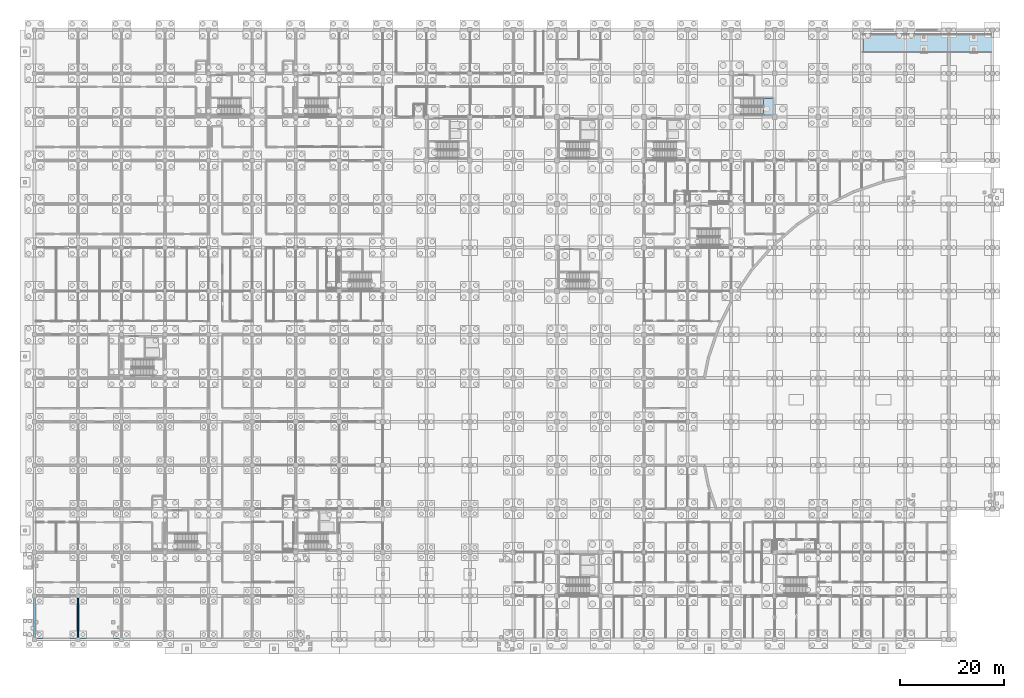
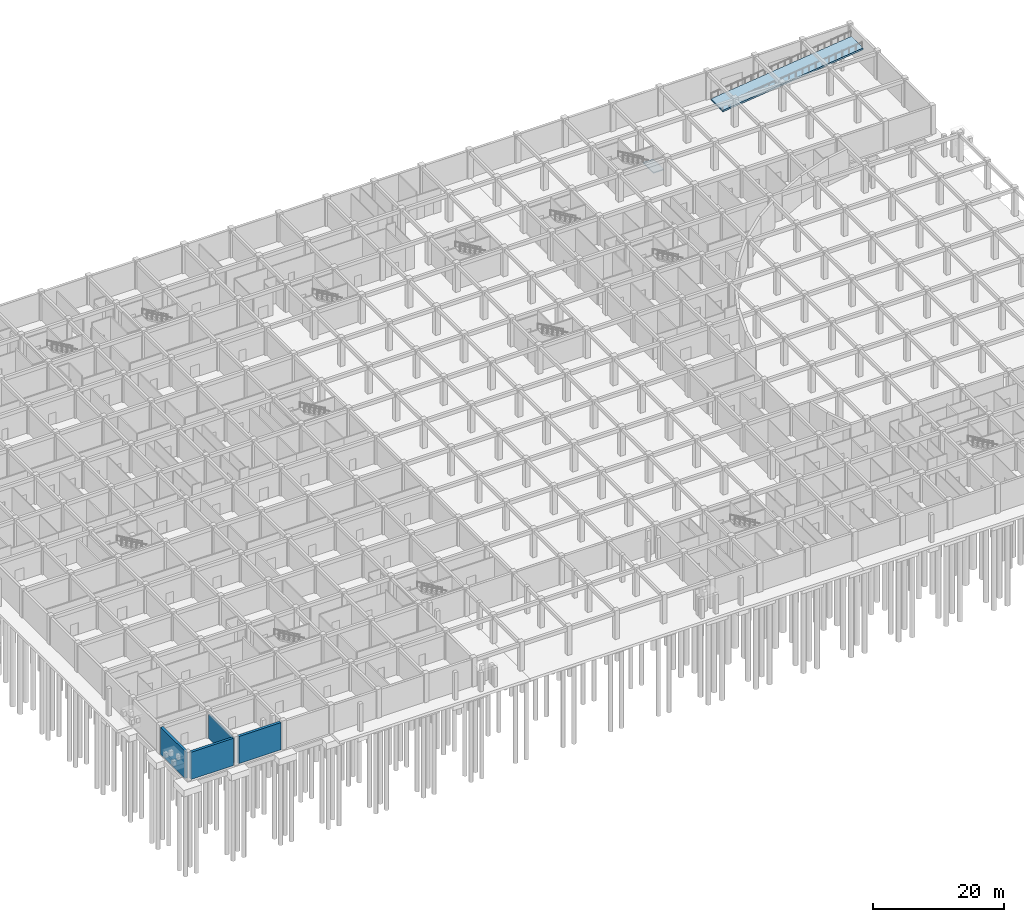
# One storey, part 26 of 65: 4 walls, 2 slabs, 1 element without a shape of its own.
"""IFC4 building model written with IfcOpenShell, lengths in metres."""

from ifc_helpers import new_model, si_unit, direction, frame, frame_2d, origin, place, context, subcontext, project, spatial, polyline, rectangle, outline, extrude, material, layer, layer_set, type_object, element, aggregate, save


model = new_model("IFC4")

# Units and contexts
model_context = context("Model", 3, precision=1e-05, world=origin(), true_north=direction((0.0, 1.0)))
body_context = subcontext(model_context, "Body", "Model", "MODEL_VIEW")
ifc_project = project(units=[si_unit("LENGTHUNIT", "METRE"), si_unit("AREAUNIT", "SQUARE_METRE"), si_unit("VOLUMEUNIT", "CUBIC_METRE"), si_unit("PLANEANGLEUNIT", "RADIAN"), si_unit("MASSUNIT", "GRAM", prefix="KILO")], contexts=[model_context])

# Site, building, storey
site_placement = place(None, origin())
site = spatial("IfcSite", under=ifc_project, at=site_placement, CompositionType="ELEMENT")
building_placement = place(site_placement, origin())
building = spatial("IfcBuilding", under=site, at=building_placement, Name="Bramfleet General Hospital", CompositionType="ELEMENT")
storey_placement = place(building_placement, frame((0.0, 0.0, -5.39990234375)))
storey = spatial("IfcBuildingStorey", under=building, at=storey_placement, Name="B1", CompositionType="ELEMENT", Elevation=-5.39990234375)

# Stair, slab
ifc_material = material(Name="Concrete C35/45", Category="concrete")
stair_type = type_object("IfcStairType", Name="STR-T1", PredefinedType="HALF_TURN_STAIR", material=ifc_material)
stair_placement = place(storey_placement, origin())
stair = element("IfcStair", 1, at=stair_placement, inside=storey, type_object=stair_type, Name="B1 Core C9 (North-East Ward & Diagnostic Escape) Protected Escape Stair", PredefinedType="HALF_TURN_STAIR")
ifc_layer_1 = layer(ifc_material, 0.199951171875, Name="SL-LND-200")
ifc_layer_set_1 = layer_set([ifc_layer_1], Name="Concrete C35/45")
slab_type_1 = type_object("IfcSlabType", Name="SL-LND-200", PredefinedType="LANDING", material=ifc_layer_set_1)
slab_1_placement = place(storey_placement, frame((0.0, 0.0, 2.5)))
slab_1 = element("IfcSlab", 2, at=slab_1_placement, type_object=slab_type_1, Name="ST-C9 landing 1", PredefinedType="LANDING", context=body_context, shape_type="SweptSolid", body=[
    extrude(outline(polyline([(140.6650390625, 101.219970703125), (142.4599609375, 101.219970703125), (142.4599609375, 104.3798828125), (140.6650390625, 104.3798828125), (140.6650390625, 101.219970703125)])), origin(), (0.0, 0.0, 1.0), 0.199951171875),
])
aggregate(stair, [slab_1])

# Slab
ifc_layer_2 = layer(ifc_material, 0.300048828125, Name="SL-RMP-300")
ifc_layer_set_2 = layer_set([ifc_layer_2], Name="Concrete C35/45")
slab_type_2 = type_object("IfcSlabType", Name="SL-RMP-300", PredefinedType="FLOOR", material=ifc_layer_set_2)
slab_2_placement = place(storey_placement, frame((159.800048828125, 113.199951171875, 0.31982421875), z_axis=(-0.119302081879, 0.0, 0.992858002566), x_axis=(0.992858002566, 0.0, 0.119302081879)))
element("IfcSlab", 3, at=slab_2_placement, inside=storey, type_object=slab_type_2, Name="B1 Car-Park Structural Vehicle Ramp Slab", PredefinedType="FLOOR", context=body_context, shape_type="SweptSolid", body=[
    extrude(outline(polyline([(0.0, 0.0), (24.978444816911956, 0.0), (24.978444816911956, 3.60009765625), (0.0, 3.60009765625), (0.0, 0.0)])), origin(), (0.0, 0.0, -1.0), 0.300048828125),
])

# Walls
ifc_layer_3 = layer(ifc_material, 0.449951171875, Name="WT-EW-01")
ifc_layer_set_3 = layer_set([ifc_layer_3], Name="Concrete C35/45")
wall_type_1 = type_object("IfcWallType", Name="WT-EW-01", PredefinedType="SOLIDWALL", material=ifc_layer_set_3)
for number, where, z_axis, x_axis, name in (
    (4, (16.324951171875, 0.0, 0.0), (0.0, 0.0, 1.0), (-1.0, 0.0, 0.0), "B1 Waterproof Retaining Wall 88"),
    (5, (7.925048828125, 0.0, 0.0), (0.0, 0.0, 1.0), (-1.0, 0.0, 0.0), "B1 Waterproof Retaining Wall 89"),
    (6, (0.0, 0.47509765625, 0.0), (0.0, 0.0, 1.0), (0.0, 1.0, 0.0), "B1 Waterproof Retaining Wall 90"),
):
    element("IfcWall", number, at=place(storey_placement, frame(where, z_axis=z_axis, x_axis=x_axis)), inside=storey, type_object=wall_type_1, Name=name, PredefinedType="SOLIDWALL", context=body_context, shape_type="SweptSolid", body=[
        extrude(rectangle(XDim=7.449951171875, YDim=0.449951171875, at=frame_2d((3.72509765625, 0.0))), origin(), (0.0, 0.0, 1.0), 5.079833984375),
    ])
ifc_layer_4 = layer(ifc_material, 0.219970703125, Name="WT-IW-01")
ifc_layer_set_4 = layer_set([ifc_layer_4], Name="Concrete C35/45")
wall_type_2 = type_object("IfcWallType", Name="WT-IW-01", PredefinedType="PARTITIONING", material=ifc_layer_set_4)
wall_placement = place(storey_placement, frame((8.39990234375, 0.39501953125, 0.0), z_axis=(0.0, 0.0, 1.0), x_axis=(0.0, 1.0, 0.0)))
element("IfcWall", 7, at=wall_placement, inside=storey, type_object=wall_type_2, Name="B1 Interior Partition IW-B1-0329", PredefinedType="PARTITIONING", context=body_context, shape_type="SweptSolid", body=[
    extrude(rectangle(XDim=7.60986328125, YDim=0.219970703125, at=frame_2d((3.804931640625, 0.0))), origin(), (0.0, 0.0, 1.0), 4.469970703125),
])

save(model, "model.ifc")
